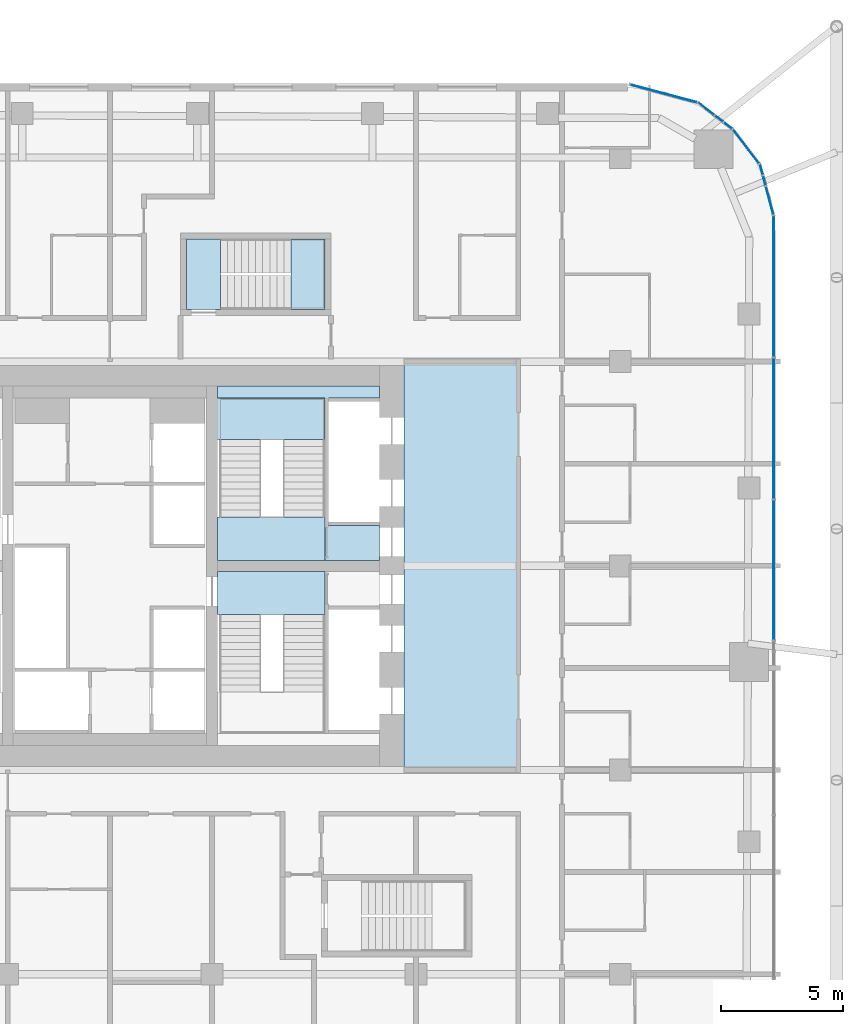
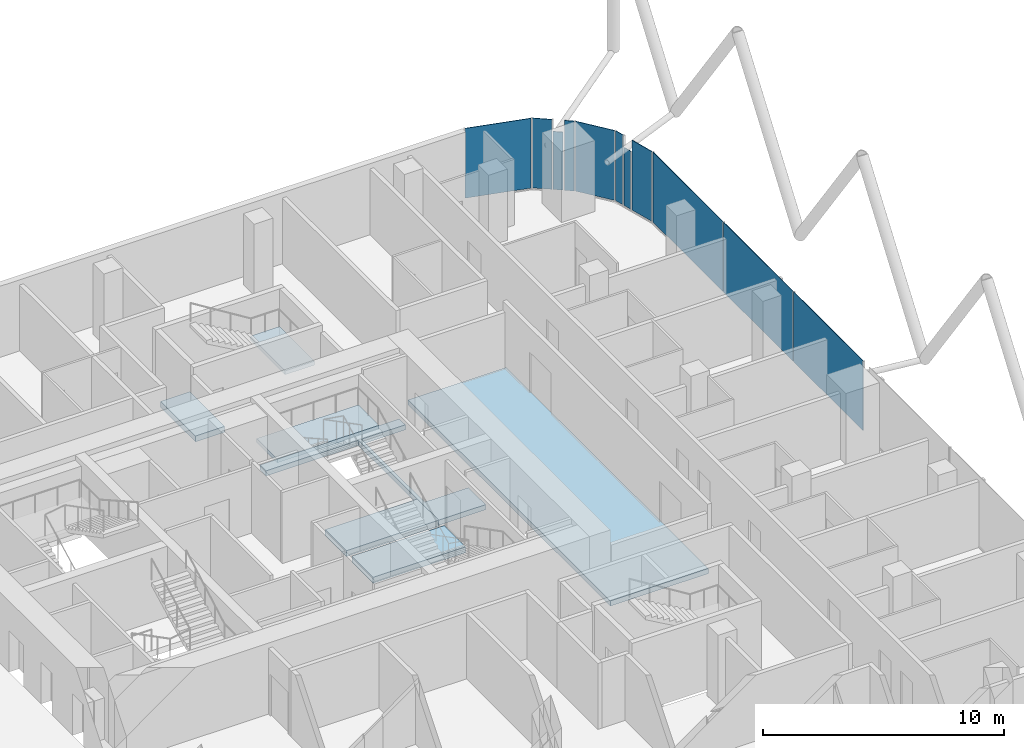
# One storey, part 26 of 36: 11 plates, 7 slabs, 11 elements without a shape of their own.
"""IFC4 building model written with IfcOpenShell, lengths in metres."""

import ifcopenshell
import ifcopenshell.guid

model = None  # the IFC model being written
_history = None  # IfcOwnerHistory: only IFC2X3 demands one
_inside = {}  # id of a spatial element -> (the spatial element, [elements in it])
_under = {}  # id of a project, library or spatial element -> (it, [spatial elements below it])
_declared = {}  # id of a project -> (the project, [libraries it declares])
_typed = {}  # id of a type object -> (the type object, [elements of that type])
_made_of = {}  # id of a material, layer set ... -> (it, [elements and type objects made of it])


def new_model(schema):
    """Start an empty IFC model of exactly this schema.

    Asked for "IFC4X3", IfcOpenShell would pick the latest addendum, in which some entities
    have other attributes; the version numbers below select the first issue.
    IFC2X3 requires an IfcOwnerHistory on every rooted entity: one is made here for all.
    """
    global model, _history
    if schema == "IFC4X3":
        model = ifcopenshell.file(schema_version=(4, 3, 0, 0))
    else:
        model = ifcopenshell.file(schema=schema)
    _inside.clear()
    _under.clear()
    _declared.clear()
    _typed.clear()
    _made_of.clear()
    _history = None
    if model.schema == "IFC2X3":
        org = make("IfcOrganization", Name="unknown")
        user = make(
            "IfcPersonAndOrganization",
            ThePerson=make("IfcPerson", FamilyName="unknown"),
            TheOrganization=org,
        )
        app = make(
            "IfcApplication",
            ApplicationDeveloper=org,
            Version="unknown",
            ApplicationFullName="unknown",
            ApplicationIdentifier="unknown",
        )
        _history = make(
            "IfcOwnerHistory",
            OwningUser=user,
            OwningApplication=app,
            ChangeAction="ADDED",
            CreationDate=0,
        )
    return model


def make(cls, **values):
    """One entity of the class cls with the attributes given. An attribute that is None is left unset."""
    return model.create_entity(
        cls, **{name: value for name, value in values.items() if value is not None}
    )


def rooted(cls, **values):
    """An entity with a GlobalId (a new one), such as an element, a storey or a relation."""
    return make(cls, GlobalId=ifcopenshell.guid.new(), OwnerHistory=_history, **values)


def si_unit(unit_type, name, prefix=None):
    """IfcSIUnit, for example si_unit("LENGTHUNIT", "METRE", prefix="MILLI")."""
    return make("IfcSIUnit", UnitType=unit_type, Prefix=prefix, Name=name)


def assignment(units):
    """IfcUnitAssignment: the units of a project."""
    return None if units is None else make("IfcUnitAssignment", Units=units)


def point(xyz):
    """IfcCartesianPoint."""
    return None if xyz is None else make("IfcCartesianPoint", Coordinates=xyz)


def direction(xyz):
    """IfcDirection."""
    return None if xyz is None else make("IfcDirection", DirectionRatios=xyz)


def frame(location, z_axis=None, x_axis=None):
    """IfcAxis2Placement3D, a coordinate frame: its origin and axes. An axis left out is left unset."""
    return make(
        "IfcAxis2Placement3D",
        Location=point(location),
        Axis=direction(z_axis),
        RefDirection=direction(x_axis),
    )


def frame_2d(location, x_axis=None):
    """IfcAxis2Placement2D, a coordinate frame in the plane: its origin and x axis."""
    return make(
        "IfcAxis2Placement2D", Location=point(location), RefDirection=direction(x_axis)
    )


def origin():
    """The frame at (0, 0, 0) with its axes left unset."""
    return frame((0.0, 0.0, 0.0))


def origin_2d():
    """The frame at (0, 0) in the plane with its x axis left unset."""
    return frame_2d((0.0, 0.0))


def place(relative_to, where):
    """IfcLocalPlacement: puts the frame where relative to a parent placement (None: the world)."""
    return make(
        "IfcLocalPlacement", PlacementRelTo=relative_to, RelativePlacement=where
    )


def context(
    kind, dimensions, precision=None, world=None, true_north=None, identifier=None
):
    """IfcGeometricRepresentationContext, for example the 3D "Model" context."""
    return make(
        "IfcGeometricRepresentationContext",
        ContextIdentifier=identifier,
        ContextType=kind,
        CoordinateSpaceDimension=dimensions,
        Precision=precision,
        WorldCoordinateSystem=world,
        TrueNorth=true_north,
    )


def subcontext(parent, identifier, kind, view, scale=None):
    """IfcGeometricRepresentationSubContext, for example "Body" below "Model"."""
    return make(
        "IfcGeometricRepresentationSubContext",
        ContextIdentifier=identifier,
        ContextType=kind,
        ParentContext=parent,
        TargetScale=scale,
        TargetView=view,
    )


def project(units=None, contexts=None):
    """IfcProject with its units and contexts."""
    return rooted(
        "IfcProject",
        Name="project",
        RepresentationContexts=contexts,
        UnitsInContext=assignment(units),
    )


def spatial(cls, under=None, at=None, **own):
    """A site, building, storey or space (cls), placed at a placement, below another one or the project."""
    s = rooted(cls, ObjectPlacement=at, **own)
    if under is not None:
        _under.setdefault(under.id(), (under, []))[1].append(s)
    return s


def polyline(points):
    """IfcPolyline through the points."""
    return make("IfcPolyline", Points=[point(p) for p in points])


def profile(cls, at=None, kind="AREA", **sizes):
    """A parametric profile (cls). Its sizes go by their IFC names, for example OverallWidth=200.0."""
    return make(cls, ProfileType=kind, Position=at, **sizes)


def rectangle(**sizes):
    """IfcRectangleProfileDef."""
    return profile("IfcRectangleProfileDef", **sizes)


def outline(outer, holes=None, kind="AREA"):
    """IfcArbitraryClosedProfileDef: a profile drawn as a closed curve; with holes, ...WithVoids."""
    if holes is None:
        return make("IfcArbitraryClosedProfileDef", ProfileType=kind, OuterCurve=outer)
    return make(
        "IfcArbitraryProfileDefWithVoids",
        ProfileType=kind,
        OuterCurve=outer,
        InnerCurves=holes,
    )


def extrude(swept, where, along, depth):
    """IfcExtrudedAreaSolid: the profile swept, set in the frame where, extruded along a direction by depth."""
    return make(
        "IfcExtrudedAreaSolid",
        SweptArea=swept,
        Position=where,
        ExtrudedDirection=direction(along),
        Depth=depth,
    )


def shape(context_of_items, identifier, shape_type, items):
    """IfcShapeRepresentation: the items that make up one representation, for example the "Body"."""
    return make(
        "IfcShapeRepresentation",
        ContextOfItems=context_of_items,
        RepresentationIdentifier=identifier,
        RepresentationType=shape_type,
        Items=items,
    )


def material(Name=None, Category=None):
    """IfcMaterial."""
    return make("IfcMaterial", Name=Name, Category=Category)


def layer(
    of_material, thickness, ventilated=None, Name=None, Category=None, Priority=None
):
    """IfcMaterialLayer: one layer of a wall or slab, of a material (None: an air gap)."""
    return make(
        "IfcMaterialLayer",
        Material=of_material,
        LayerThickness=thickness,
        IsVentilated=ventilated,
        Name=Name,
        Category=Category,
        Priority=Priority,
    )


def layer_set(layers, Name=None):
    """IfcMaterialLayerSet."""
    return make("IfcMaterialLayerSet", MaterialLayers=layers, LayerSetName=Name)


def made_of(thing, what):
    """Note that an element or type object is made of a material, layer set ...; save() writes the relation."""
    if what is not None:
        _made_of.setdefault(what.id(), (what, []))[1].append(thing)
    return thing


def type_object(cls, material=None, **own):
    """A type object (cls), such as IfcWallType, which elements share."""
    return made_of(rooted(cls, **own), material)


def element(
    cls,
    number,
    at=None,
    inside=None,
    cuts=None,
    type_object=None,
    material=None,
    context=None,
    identifier="Body",
    shape_type=None,
    held_by="IfcProductDefinitionShape",
    body=None,
    shapes=None,
    **own,
):
    """One element of the class cls, such as IfcWall. Its Tag is "e" and its number.

    at: its placement. inside: the storey or other place that contains it. cuts: it is an
    opening in that element (IfcRelVoidsElement). A single representation is given by context,
    identifier, shape_type and body (its items); several are given by shapes. held_by: the class
    of the entity that holds the representations. save() writes the other relations.
    """
    e = rooted(cls, Tag="e%d" % number, ObjectPlacement=at, **own)
    if body is not None:
        shapes = [shape(context, identifier, shape_type, body)]
    if shapes is not None:
        e.Representation = make(held_by, Representations=shapes)
    if inside is not None:
        _inside.setdefault(inside.id(), (inside, []))[1].append(e)
    if cuts is not None:
        rooted(
            "IfcRelVoidsElement", RelatingBuildingElement=cuts, RelatedOpeningElement=e
        )
    if type_object is not None:
        _typed.setdefault(type_object.id(), (type_object, []))[1].append(e)
    return made_of(e, material)


def aggregate(whole, parts):
    """IfcRelAggregates: a whole, such as a stair, and the parts it consists of."""
    return rooted("IfcRelAggregates", RelatingObject=whole, RelatedObjects=parts)


def save(model, path):
    """Write the relations noted so far, then the file.

    IfcRelAggregates (storeys below a building ...), IfcRelContainedInSpatialStructure (elements
    in a storey), IfcRelDefinesByType, IfcRelAssociatesMaterial and IfcRelDeclares: one each for
    every whole, place, type object, material and project.
    """
    for whole, parts in _under.values():
        aggregate(whole, parts)
    for where, things in _inside.values():
        rooted(
            "IfcRelContainedInSpatialStructure",
            RelatedElements=things,
            RelatingStructure=where,
        )
    for kind, things in _typed.values():
        rooted("IfcRelDefinesByType", RelatedObjects=things, RelatingType=kind)
    for what, things in _made_of.values():
        rooted("IfcRelAssociatesMaterial", RelatedObjects=things, RelatingMaterial=what)
    for by, libraries in _declared.values():
        rooted("IfcRelDeclares", RelatingContext=by, RelatedDefinitions=libraries)
    model.write(path)


model = new_model("IFC4")

# Units and contexts
model_context = context("Model", 3, precision=1e-05, world=origin(), true_north=direction((0.0, 1.0)))
body_context = subcontext(model_context, "Body", "Model", "MODEL_VIEW")
ifc_project = project(units=[si_unit("LENGTHUNIT", "METRE"), si_unit("AREAUNIT", "SQUARE_METRE"), si_unit("VOLUMEUNIT", "CUBIC_METRE"), si_unit("PLANEANGLEUNIT", "RADIAN"), si_unit("MASSUNIT", "GRAM", prefix="KILO")], contexts=[model_context])

# Site, building, storey
site_placement = place(None, origin())
site = spatial("IfcSite", under=ifc_project, at=site_placement, CompositionType="ELEMENT")
building_placement = place(site_placement, origin())
building = spatial("IfcBuilding", under=site, at=building_placement, Name="Marenta Gate Hotel Tower", CompositionType="ELEMENT")
storey_placement = place(building_placement, frame((0.0, 0.0, 144.5)))
storey = spatial("IfcBuildingStorey", under=building, at=storey_placement, Name="L33", CompositionType="ELEMENT", Elevation=144.5)

# Slabs
ifc_material_1 = material(Name="Concrete C40", Category="concrete")
ifc_layer_1 = layer(ifc_material_1, 0.260009765625)
ifc_layer_set_1 = layer_set([ifc_layer_1], Name="Concrete C40")
slab_type_1 = type_object("IfcSlabType", Name="Core floor slab 260", PredefinedType="FLOOR", material=ifc_layer_set_1)
slab_1_placement = place(storey_placement, frame((0.0, 0.0, -0.260009765625)))
element("IfcSlab", 1, at=slab_1_placement, inside=storey, type_object=slab_type_1, Name="L33-CF-1", PredefinedType="FLOOR", context=body_context, shape_type="SweptSolid", body=[
    extrude(outline(polyline([(12.10009765625, 0.0), (12.10009765625, 16.800048828125), (16.800048828125, 16.800048828125), (16.800048828125, 0.0), (12.10009765625, 0.0)])), origin(), (0.0, 0.0, 1.0), 0.260009765625),
])
slab_2_placement = place(storey_placement, frame((0.0, 0.0, -0.260009765625)))
element("IfcSlab", 2, at=slab_2_placement, inside=storey, type_object=slab_type_1, Name="L33-CF-3", PredefinedType="FLOOR", context=body_context, shape_type="SweptSolid", body=[
    extrude(outline(polyline([(8.85009765625, 15.300048828125), (4.425048828125, 15.300048828125), (4.425048828125, 15.800048828125), (11.10009765625, 15.800048828125), (11.10009765625, 15.300048828125), (9.0, 15.300048828125), (9.0, 15.14990234375), (9.0, 12.75), (9.0, 12.60009765625), (9.0, 10.199951171875), (9.0, 10.050048828125), (11.10009765625, 10.050048828125), (11.10009765625, 8.625), (8.85009765625, 8.625), (8.85009765625, 8.699951171875), (8.85009765625, 10.39990234375), (8.85009765625, 15.300048828125)])), origin(), (0.0, 0.0, 1.0), 0.260009765625),
])

# Stair, slab
ifc_material_2 = material(Name="Concrete C40", Category="concrete")
stair_type_1 = type_object("IfcStairType", Name="Core exit stair 1700 wide", PredefinedType="HALF_TURN_STAIR", material=ifc_material_2)
stair_1_placement = place(storey_placement, origin())
stair_1 = element("IfcStair", 3, at=stair_1_placement, inside=storey, type_object=stair_type_1, Name="Exit stair 4", PredefinedType="HALF_TURN_STAIR")
ifc_material_3 = material(Name="Concrete C40", Category="concrete")
ifc_layer_2 = layer(ifc_material_3, 0.199951171875)
ifc_layer_set_2 = layer_set([ifc_layer_2], Name="Concrete C40")
slab_type_2 = type_object("IfcSlabType", Name="Core stair landing 200", PredefinedType="LANDING", material=ifc_layer_set_2)
slab_3_placement = place(storey_placement, frame((0.0, 0.0, 1.60009765625)))
slab_3 = element("IfcSlab", 4, at=slab_3_placement, type_object=slab_type_2, Name="SL-200 ST4 landing 1", PredefinedType="LANDING", context=body_context, shape_type="SweptSolid", body=[
    extrude(outline(polyline([(3.97509765625, 13.590087890625), (8.85009765625, 13.590087890625), (8.85009765625, 15.300048828125), (3.97509765625, 15.300048828125), (3.97509765625, 13.590087890625)])), origin(), (0.0, 0.0, 1.0), 0.199951171875),
])
aggregate(stair_1, [slab_3])

# Curtain wall, plates
ifc_material_4 = material(Name="Tinted insulated glass in bronze anodised frame", Category="glass")
ifc_layer_3 = layer(ifc_material_4, 0.1201171875)
ifc_layer_set_3 = layer_set([ifc_layer_3], Name="Tinted insulated glass in bronze anodised frame")
curtain_wall_type = type_object("IfcCurtainWallType", Name="Tower unitised curtain wall CW1", PredefinedType="NOTDEFINED", material=ifc_layer_set_3)
curtain_wall_1_placement = place(storey_placement, origin())
curtain_wall_1 = element("IfcCurtainWall", 5, at=curtain_wall_1_placement, inside=storey, type_object=curtain_wall_type, Name="CW1 run G35", PredefinedType="NOTDEFINED")
ifc_material_5 = material(Name="Tinted insulated glass", Category="glass")
ifc_layer_4 = layer(ifc_material_5, 0.028076171875)
ifc_layer_set_4 = layer_set([ifc_layer_4], Name="Tinted insulated glass")
plate_type = type_object("IfcPlateType", Name="Glass panel CW1 28 mm tinted insulated unit", PredefinedType="CURTAIN_PANEL", material=ifc_layer_set_4)
plate_1_placement = place(storey_placement, frame((27.31396484375, 8.2333984375, 0.06005859375), z_axis=(0.0, 0.0, 1.0), x_axis=(0.0, 1.0, 0.0)))
plate_1 = element("IfcPlate", 6, at=plate_1_placement, type_object=plate_type, Name="CW1 panel 1.1", PredefinedType="CURTAIN_PANEL", context=body_context, shape_type="SweptSolid", body=[
    extrude(rectangle(XDim=5.739501953125, YDim=0.028076171875, at=origin_2d()), origin(), (0.0, 0.0, 1.0), 3.5400390625),
])
plate_2_placement = place(storey_placement, frame((27.31396484375, 14.0478515625, 0.06005859375), z_axis=(0.0, 0.0, 1.0), x_axis=(0.0, 1.0, 0.0)))
plate_2 = element("IfcPlate", 7, at=plate_2_placement, type_object=plate_type, Name="CW1 panel 2.1", PredefinedType="CURTAIN_PANEL", context=body_context, shape_type="SweptSolid", body=[
    extrude(rectangle(XDim=5.769287109375, YDim=0.028076171875, at=origin_2d()), origin(), (0.0, 0.0, 1.0), 3.5400390625),
])
plate_3_placement = place(storey_placement, frame((27.31396484375, 19.89208984375, 0.06005859375), z_axis=(0.0, 0.0, 1.0), x_axis=(0.0, 1.0, 0.0)))
plate_3 = element("IfcPlate", 8, at=plate_3_placement, type_object=plate_type, Name="CW1 panel 3.1", PredefinedType="CURTAIN_PANEL", context=body_context, shape_type="SweptSolid", body=[
    extrude(rectangle(XDim=5.79931640625, YDim=0.028076171875, at=origin_2d()), origin(), (0.0, 0.0, 1.0), 3.5400390625),
])
aggregate(curtain_wall_1, [plate_1, plate_2, plate_3])

# Curtain wall, plate
curtain_wall_2_placement = place(storey_placement, origin())
curtain_wall_2 = element("IfcCurtainWall", 9, at=curtain_wall_2_placement, inside=storey, type_object=curtain_wall_type, Name="CW1 run G36", PredefinedType="NOTDEFINED")
plate_4_placement = place(storey_placement, frame((27.14501953125, 23.422607421875, 0.06005859375), z_axis=(0.0, 0.0, 1.0), x_axis=(-0.258816313572, 0.965926558196, 0.0)))
plate_4 = element("IfcPlate", 10, at=plate_4_placement, type_object=plate_type, Name="CW1 panel 1.1", PredefinedType="CURTAIN_PANEL", context=body_context, shape_type="SweptSolid", body=[
    extrude(rectangle(XDim=1.18603515625, YDim=0.028076171875, at=origin_2d()), origin(), (0.0, 0.0, 1.0), 3.5400390625),
])
aggregate(curtain_wall_2, [plate_4])

curtain_wall_3_placement = place(storey_placement, origin())
curtain_wall_3 = element("IfcCurtainWall", 11, at=curtain_wall_3_placement, inside=storey, type_object=curtain_wall_type, Name="CW1 run G37", PredefinedType="NOTDEFINED")
plate_5_placement = place(storey_placement, frame((26.924560546875, 24.2451171875, 0.06005859375), z_axis=(0.0, 0.0, 1.0), x_axis=(-0.258834595648, 0.965921659399, 0.0)))
plate_5 = element("IfcPlate", 12, at=plate_5_placement, type_object=plate_type, Name="CW1 panel 1.1", PredefinedType="CURTAIN_PANEL", context=body_context, shape_type="SweptSolid", body=[
    extrude(rectangle(XDim=0.396728515625, YDim=0.028076171875, at=origin_2d()), origin(), (0.0, 0.0, 1.0), 2.9404296875),
])
aggregate(curtain_wall_3, [plate_5])

curtain_wall_4_placement = place(storey_placement, origin())
curtain_wall_4 = element("IfcCurtainWall", 13, at=curtain_wall_4_placement, inside=storey, type_object=curtain_wall_type, Name="CW1 run G38", PredefinedType="NOTDEFINED")
plate_6_placement = place(storey_placement, frame((26.802001953125, 24.702880859375, 0.06005859375), z_axis=(0.0, 0.0, 1.0), x_axis=(-0.258827623196, 0.965923527755, 0.0)))
plate_6 = element("IfcPlate", 14, at=plate_6_placement, type_object=plate_type, Name="CW1 panel 1.1", PredefinedType="CURTAIN_PANEL", context=body_context, shape_type="SweptSolid", body=[
    extrude(rectangle(XDim=0.431396484375, YDim=0.028076171875, at=origin_2d()), origin(), (0.0, 0.0, 1.0), 3.5400390625),
])
aggregate(curtain_wall_4, [plate_6])

curtain_wall_5_placement = place(storey_placement, origin())
curtain_wall_5 = element("IfcCurtainWall", 15, at=curtain_wall_5_placement, inside=storey, type_object=curtain_wall_type, Name="CW1 run G39", PredefinedType="NOTDEFINED")
plate_7_placement = place(storey_placement, frame((26.177490234375, 25.652099609375, 0.06005859375), z_axis=(0.0, 0.0, 1.0), x_axis=(-0.608796116694, 0.793326722289, 0.0)))
plate_7 = element("IfcPlate", 16, at=plate_7_placement, type_object=plate_type, Name="CW1 panel 1.1", PredefinedType="CURTAIN_PANEL", context=body_context, shape_type="SweptSolid", body=[
    extrude(rectangle(XDim=1.747802734375, YDim=0.028076171875, at=origin_2d()), origin(), (0.0, 0.0, 1.0), 3.5400390625),
])
aggregate(curtain_wall_5, [plate_7])

curtain_wall_6_placement = place(storey_placement, origin())
curtain_wall_6 = element("IfcCurtainWall", 17, at=curtain_wall_6_placement, inside=storey, type_object=curtain_wall_type, Name="CW1 run G40", PredefinedType="NOTDEFINED")
plate_8_placement = place(storey_placement, frame((25.4345703125, 26.50732421875, 0.06005859375), z_axis=(0.0, 0.0, 1.0), x_axis=(-0.793340265701, 0.608778467767, 0.0)))
plate_8 = element("IfcPlate", 18, at=plate_8_placement, type_object=plate_type, Name="CW1 panel 1.1", PredefinedType="CURTAIN_PANEL", context=body_context, shape_type="SweptSolid", body=[
    extrude(rectangle(XDim=0.411865234375, YDim=0.028076171875, at=origin_2d()), origin(), (0.0, 0.0, 1.0), 3.5400390625),
])
aggregate(curtain_wall_6, [plate_8])

curtain_wall_7_placement = place(storey_placement, origin())
curtain_wall_7 = element("IfcCurtainWall", 19, at=curtain_wall_7_placement, inside=storey, type_object=curtain_wall_type, Name="CW1 run G41", PredefinedType="NOTDEFINED")
plate_9_placement = place(storey_placement, frame((25.06201171875, 26.793212890625, 0.06005859375), z_axis=(0.0, 0.0, 1.0), x_axis=(-0.79337187392, 0.608737274752, 0.0)))
plate_9 = element("IfcPlate", 20, at=plate_9_placement, type_object=plate_type, Name="CW1 panel 1.1", PredefinedType="CURTAIN_PANEL", context=body_context, shape_type="SweptSolid", body=[
    extrude(rectangle(XDim=0.406982421875, YDim=0.028076171875, at=origin_2d()), origin(), (0.0, 0.0, 1.0), 2.9404296875),
])
aggregate(curtain_wall_7, [plate_9])

curtain_wall_8_placement = place(storey_placement, origin())
curtain_wall_8 = element("IfcCurtainWall", 21, at=curtain_wall_8_placement, inside=storey, type_object=curtain_wall_type, Name="CW1 run G42", PredefinedType="NOTDEFINED")
plate_10_placement = place(storey_placement, frame((24.5322265625, 27.19970703125, 0.06005859375), z_axis=(0.0, 0.0, 1.0), x_axis=(-0.793295108539, 0.608837310591, 0.0)))
plate_10 = element("IfcPlate", 22, at=plate_10_placement, type_object=plate_type, Name="CW1 panel 1.1", PredefinedType="CURTAIN_PANEL", context=body_context, shape_type="SweptSolid", body=[
    extrude(rectangle(XDim=0.80908203125, YDim=0.028076171875, at=origin_2d()), origin(), (0.0, 0.0, 1.0), 3.5400390625),
])
aggregate(curtain_wall_8, [plate_10])

curtain_wall_9_placement = place(storey_placement, origin())
curtain_wall_9 = element("IfcCurtainWall", 23, at=curtain_wall_9_placement, inside=storey, type_object=curtain_wall_type, Name="CW1 run G43", PredefinedType="NOTDEFINED")
plate_11_placement = place(storey_placement, frame((22.783935546875, 27.82861328125, 0.06005859375), z_axis=(0.0, 0.0, 1.0), x_axis=(-0.965929324305, 0.258805989975, 0.0)))
plate_11 = element("IfcPlate", 24, at=plate_11_placement, type_object=plate_type, Name="CW1 panel 1.1", PredefinedType="CURTAIN_PANEL", context=body_context, shape_type="SweptSolid", body=[
    extrude(rectangle(XDim=2.83544921875, YDim=0.028076171875, at=origin_2d()), origin(), (0.0, 0.0, 1.0), 3.5400390625),
])
aggregate(curtain_wall_9, [plate_11])

# Stair, slab
ifc_material_6 = material(Name="Concrete C40", Category="concrete")
stair_type_2 = type_object("IfcStairType", Name="Remote exit stair 1400 wide", PredefinedType="HALF_TURN_STAIR", material=ifc_material_6)
stair_2_placement = place(storey_placement, origin())
stair_2 = element("IfcStair", 25, at=stair_2_placement, inside=storey, type_object=stair_type_2, Name="Exit stair RS-Z2-4", PredefinedType="HALF_TURN_STAIR")
ifc_material_7 = material(Name="Concrete C40", Category="concrete")
ifc_layer_5 = layer(ifc_material_7, 0.199951171875)
ifc_layer_set_5 = layer_set([ifc_layer_5], Name="Concrete C40")
slab_type_3 = type_object("IfcSlabType", Name="Remote stair landing 200", PredefinedType="LANDING", material=ifc_layer_set_5)
slab_4_placement = place(storey_placement, frame((0.0, 0.0, 1.60009765625)))
slab_4 = element("IfcSlab", 26, at=slab_4_placement, type_object=slab_type_3, Name="RL-200 RS-Z2-4 landing 1", PredefinedType="LANDING", context=body_context, shape_type="SweptSolid", body=[
    extrude(outline(polyline([(7.449951171875, 18.949951171875), (8.85009765625, 18.949951171875), (8.85009765625, 21.85009765625), (7.449951171875, 21.85009765625), (7.449951171875, 18.949951171875)])), origin(), (0.0, 0.0, 1.0), 0.199951171875),
])
aggregate(stair_2, [slab_4])

# Slabs
ifc_material_8 = material(Name="Concrete C40", Category="concrete")
ifc_layer_6 = layer(ifc_material_8, 0.300048828125)
ifc_layer_set_6 = layer_set([ifc_layer_6], Name="Concrete C40")
slab_type_4 = type_object("IfcSlabType", Name="Stair floor landing slab 300", PredefinedType="FLOOR", material=ifc_layer_set_6)
slab_5_placement = place(storey_placement, frame((0.0, 0.0, -0.300048828125)))
element("IfcSlab", 27, at=slab_5_placement, inside=storey, type_object=slab_type_4, Name="L33-CL-ST3-1", PredefinedType="FLOOR", context=body_context, shape_type="SweptSolid", body=[
    extrude(outline(polyline([(4.425048828125, 6.39990234375), (4.425048828125, 8.175048828125), (8.85009765625, 8.175048828125), (8.85009765625, 8.10009765625), (8.85009765625, 6.39990234375), (4.425048828125, 6.39990234375)])), origin(), (0.0, 0.0, 1.0), 0.300048828125),
])
slab_6_placement = place(storey_placement, frame((0.0, 0.0, -0.300048828125)))
element("IfcSlab", 28, at=slab_6_placement, inside=storey, type_object=slab_type_4, Name="L33-CL-ST4-1", PredefinedType="FLOOR", context=body_context, shape_type="SweptSolid", body=[
    extrude(outline(polyline([(4.425048828125, 8.625), (4.425048828125, 10.39990234375), (8.85009765625, 10.39990234375), (8.85009765625, 8.699951171875), (8.85009765625, 8.625), (4.425048828125, 8.625)])), origin(), (0.0, 0.0, 1.0), 0.300048828125),
])
slab_7_placement = place(storey_placement, frame((0.0, 0.0, -0.300048828125)))
element("IfcSlab", 29, at=slab_7_placement, inside=storey, type_object=slab_type_4, Name="L33-RS-Z2-4-CL", PredefinedType="FLOOR", context=body_context, shape_type="SweptSolid", body=[
    extrude(outline(polyline([(4.550048828125, 18.949951171875), (4.550048828125, 21.85009765625), (3.14990234375, 21.85009765625), (3.14990234375, 18.949951171875), (4.550048828125, 18.949951171875)])), origin(), (0.0, 0.0, 1.0), 0.300048828125),
])

save(model, "model.ifc")
